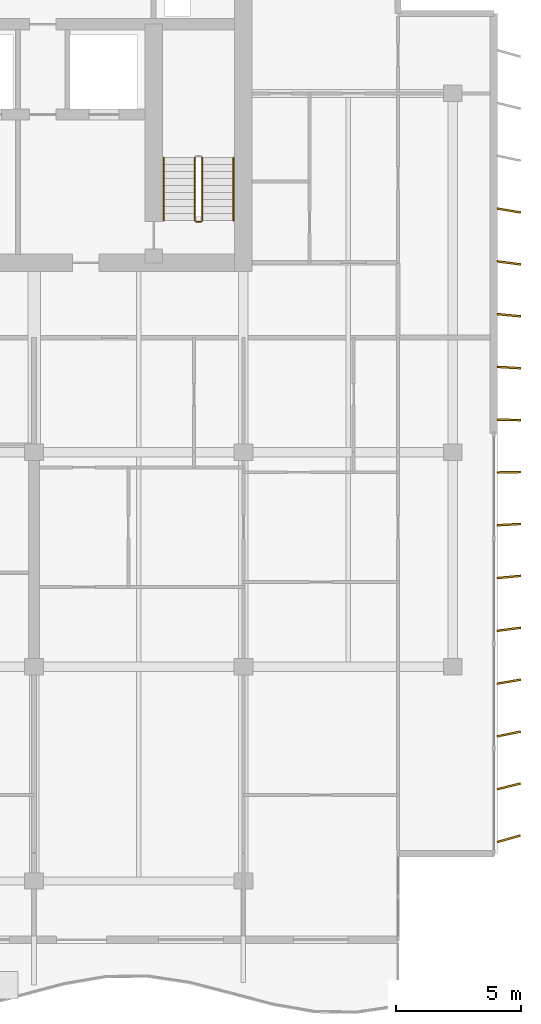
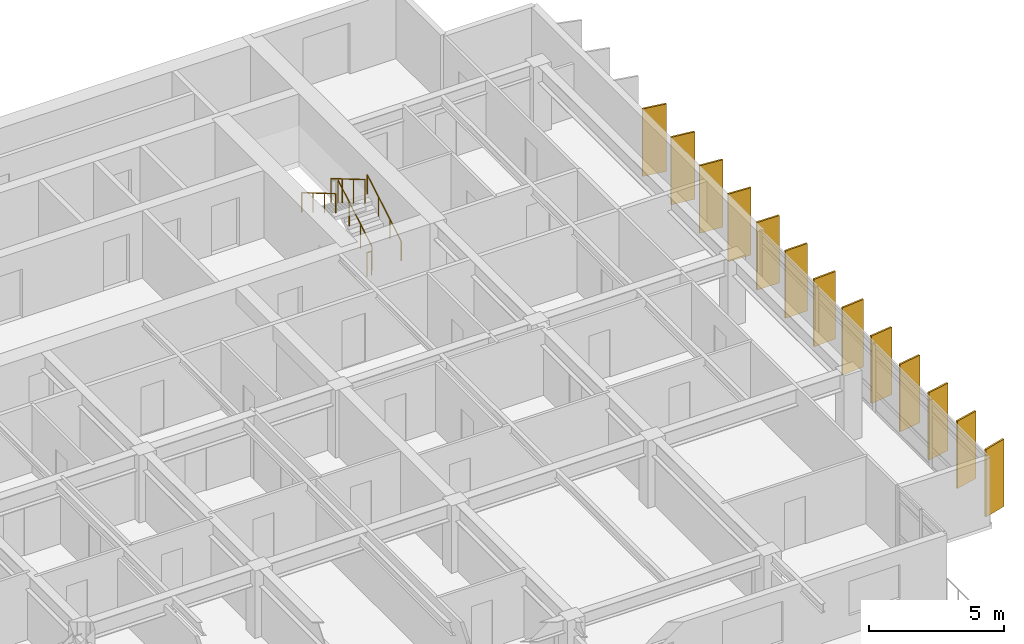
# One storey, part 14 of 16: 13 shading devices, 5 railings.
"""IFC4 building model written with IfcOpenShell, lengths in metres."""

import ifcopenshell
import ifcopenshell.guid

model = None  # the IFC model being written
_history = None  # IfcOwnerHistory: only IFC2X3 demands one
_inside = {}  # id of a spatial element -> (the spatial element, [elements in it])
_under = {}  # id of a project, library or spatial element -> (it, [spatial elements below it])
_declared = {}  # id of a project -> (the project, [libraries it declares])
_typed = {}  # id of a type object -> (the type object, [elements of that type])
_made_of = {}  # id of a material, layer set ... -> (it, [elements and type objects made of it])


def new_model(schema):
    """Start an empty IFC model of exactly this schema.

    Asked for "IFC4X3", IfcOpenShell would pick the latest addendum, in which some entities
    have other attributes; the version numbers below select the first issue.
    IFC2X3 requires an IfcOwnerHistory on every rooted entity: one is made here for all.
    """
    global model, _history
    if schema == "IFC4X3":
        model = ifcopenshell.file(schema_version=(4, 3, 0, 0))
    else:
        model = ifcopenshell.file(schema=schema)
    _inside.clear()
    _under.clear()
    _declared.clear()
    _typed.clear()
    _made_of.clear()
    _history = None
    if model.schema == "IFC2X3":
        org = make("IfcOrganization", Name="unknown")
        user = make(
            "IfcPersonAndOrganization",
            ThePerson=make("IfcPerson", FamilyName="unknown"),
            TheOrganization=org,
        )
        app = make(
            "IfcApplication",
            ApplicationDeveloper=org,
            Version="unknown",
            ApplicationFullName="unknown",
            ApplicationIdentifier="unknown",
        )
        _history = make(
            "IfcOwnerHistory",
            OwningUser=user,
            OwningApplication=app,
            ChangeAction="ADDED",
            CreationDate=0,
        )
    return model


def make(cls, **values):
    """One entity of the class cls with the attributes given. An attribute that is None is left unset."""
    return model.create_entity(
        cls, **{name: value for name, value in values.items() if value is not None}
    )


def rooted(cls, **values):
    """An entity with a GlobalId (a new one), such as an element, a storey or a relation."""
    return make(cls, GlobalId=ifcopenshell.guid.new(), OwnerHistory=_history, **values)


def si_unit(unit_type, name, prefix=None):
    """IfcSIUnit, for example si_unit("LENGTHUNIT", "METRE", prefix="MILLI")."""
    return make("IfcSIUnit", UnitType=unit_type, Prefix=prefix, Name=name)


def assignment(units):
    """IfcUnitAssignment: the units of a project."""
    return None if units is None else make("IfcUnitAssignment", Units=units)


def point(xyz):
    """IfcCartesianPoint."""
    return None if xyz is None else make("IfcCartesianPoint", Coordinates=xyz)


def direction(xyz):
    """IfcDirection."""
    return None if xyz is None else make("IfcDirection", DirectionRatios=xyz)


def frame(location, z_axis=None, x_axis=None):
    """IfcAxis2Placement3D, a coordinate frame: its origin and axes. An axis left out is left unset."""
    return make(
        "IfcAxis2Placement3D",
        Location=point(location),
        Axis=direction(z_axis),
        RefDirection=direction(x_axis),
    )


def frame_2d(location, x_axis=None):
    """IfcAxis2Placement2D, a coordinate frame in the plane: its origin and x axis."""
    return make(
        "IfcAxis2Placement2D", Location=point(location), RefDirection=direction(x_axis)
    )


def origin():
    """The frame at (0, 0, 0) with its axes left unset."""
    return frame((0.0, 0.0, 0.0))


def origin_2d():
    """The frame at (0, 0) in the plane with its x axis left unset."""
    return frame_2d((0.0, 0.0))


def place(relative_to, where):
    """IfcLocalPlacement: puts the frame where relative to a parent placement (None: the world)."""
    return make(
        "IfcLocalPlacement", PlacementRelTo=relative_to, RelativePlacement=where
    )


def context(
    kind, dimensions, precision=None, world=None, true_north=None, identifier=None
):
    """IfcGeometricRepresentationContext, for example the 3D "Model" context."""
    return make(
        "IfcGeometricRepresentationContext",
        ContextIdentifier=identifier,
        ContextType=kind,
        CoordinateSpaceDimension=dimensions,
        Precision=precision,
        WorldCoordinateSystem=world,
        TrueNorth=true_north,
    )


def subcontext(parent, identifier, kind, view, scale=None):
    """IfcGeometricRepresentationSubContext, for example "Body" below "Model"."""
    return make(
        "IfcGeometricRepresentationSubContext",
        ContextIdentifier=identifier,
        ContextType=kind,
        ParentContext=parent,
        TargetScale=scale,
        TargetView=view,
    )


def project(units=None, contexts=None):
    """IfcProject with its units and contexts."""
    return rooted(
        "IfcProject",
        Name="project",
        RepresentationContexts=contexts,
        UnitsInContext=assignment(units),
    )


def spatial(cls, under=None, at=None, **own):
    """A site, building, storey or space (cls), placed at a placement, below another one or the project."""
    s = rooted(cls, ObjectPlacement=at, **own)
    if under is not None:
        _under.setdefault(under.id(), (under, []))[1].append(s)
    return s


def profile(cls, at=None, kind="AREA", **sizes):
    """A parametric profile (cls). Its sizes go by their IFC names, for example OverallWidth=200.0."""
    return make(cls, ProfileType=kind, Position=at, **sizes)


def rectangle(**sizes):
    """IfcRectangleProfileDef."""
    return profile("IfcRectangleProfileDef", **sizes)


def circle(**sizes):
    """IfcCircleProfileDef."""
    return profile("IfcCircleProfileDef", **sizes)


def extrude(swept, where, along, depth):
    """IfcExtrudedAreaSolid: the profile swept, set in the frame where, extruded along a direction by depth."""
    return make(
        "IfcExtrudedAreaSolid",
        SweptArea=swept,
        Position=where,
        ExtrudedDirection=direction(along),
        Depth=depth,
    )


def shape(context_of_items, identifier, shape_type, items):
    """IfcShapeRepresentation: the items that make up one representation, for example the "Body"."""
    return make(
        "IfcShapeRepresentation",
        ContextOfItems=context_of_items,
        RepresentationIdentifier=identifier,
        RepresentationType=shape_type,
        Items=items,
    )


def material(Name=None, Category=None):
    """IfcMaterial."""
    return make("IfcMaterial", Name=Name, Category=Category)


def material_profile(
    of_material, cross_section, Name=None, Category=None, Priority=None
):
    """IfcMaterialProfile: a cross section and its material."""
    return make(
        "IfcMaterialProfile",
        Name=Name,
        Material=of_material,
        Profile=cross_section,
        Priority=Priority,
        Category=Category,
    )


def profile_set(profiles, Name=None, composite=None):
    """IfcMaterialProfileSet."""
    return make(
        "IfcMaterialProfileSet",
        Name=Name,
        MaterialProfiles=profiles,
        CompositeProfile=composite,
    )


def made_of(thing, what):
    """Note that an element or type object is made of a material, layer set ...; save() writes the relation."""
    if what is not None:
        _made_of.setdefault(what.id(), (what, []))[1].append(thing)
    return thing


def type_object(cls, material=None, **own):
    """A type object (cls), such as IfcWallType, which elements share."""
    return made_of(rooted(cls, **own), material)


def element(
    cls,
    number,
    at=None,
    inside=None,
    cuts=None,
    type_object=None,
    material=None,
    context=None,
    identifier="Body",
    shape_type=None,
    held_by="IfcProductDefinitionShape",
    body=None,
    shapes=None,
    **own,
):
    """One element of the class cls, such as IfcWall. Its Tag is "e" and its number.

    at: its placement. inside: the storey or other place that contains it. cuts: it is an
    opening in that element (IfcRelVoidsElement). A single representation is given by context,
    identifier, shape_type and body (its items); several are given by shapes. held_by: the class
    of the entity that holds the representations. save() writes the other relations.
    """
    e = rooted(cls, Tag="e%d" % number, ObjectPlacement=at, **own)
    if body is not None:
        shapes = [shape(context, identifier, shape_type, body)]
    if shapes is not None:
        e.Representation = make(held_by, Representations=shapes)
    if inside is not None:
        _inside.setdefault(inside.id(), (inside, []))[1].append(e)
    if cuts is not None:
        rooted(
            "IfcRelVoidsElement", RelatingBuildingElement=cuts, RelatedOpeningElement=e
        )
    if type_object is not None:
        _typed.setdefault(type_object.id(), (type_object, []))[1].append(e)
    return made_of(e, material)


def aggregate(whole, parts):
    """IfcRelAggregates: a whole, such as a stair, and the parts it consists of."""
    return rooted("IfcRelAggregates", RelatingObject=whole, RelatedObjects=parts)


def save(model, path):
    """Write the relations noted so far, then the file.

    IfcRelAggregates (storeys below a building ...), IfcRelContainedInSpatialStructure (elements
    in a storey), IfcRelDefinesByType, IfcRelAssociatesMaterial and IfcRelDeclares: one each for
    every whole, place, type object, material and project.
    """
    for whole, parts in _under.values():
        aggregate(whole, parts)
    for where, things in _inside.values():
        rooted(
            "IfcRelContainedInSpatialStructure",
            RelatedElements=things,
            RelatingStructure=where,
        )
    for kind, things in _typed.values():
        rooted("IfcRelDefinesByType", RelatedObjects=things, RelatingType=kind)
    for what, things in _made_of.values():
        rooted("IfcRelAssociatesMaterial", RelatedObjects=things, RelatingMaterial=what)
    for by, libraries in _declared.values():
        rooted("IfcRelDeclares", RelatingContext=by, RelatedDefinitions=libraries)
    model.write(path)


model = new_model("IFC4")

# Units and contexts
model_context = context("Model", 3, precision=1e-05, world=origin(), true_north=direction((0.0, 1.0)))
body_context = subcontext(model_context, "Body", "Model", "MODEL_VIEW")
ifc_project = project(units=[si_unit("LENGTHUNIT", "METRE"), si_unit("AREAUNIT", "SQUARE_METRE"), si_unit("VOLUMEUNIT", "CUBIC_METRE"), si_unit("PLANEANGLEUNIT", "RADIAN"), si_unit("MASSUNIT", "GRAM", prefix="KILO")], contexts=[model_context])

# Site, building, storey
site_placement = place(None, origin())
site = spatial("IfcSite", under=ifc_project, at=site_placement, CompositionType="ELEMENT")
building_placement = place(site_placement, origin())
building = spatial("IfcBuilding", under=site, at=building_placement, Name="Caelmar Bay Residences", CompositionType="ELEMENT")
storey_placement = place(building_placement, frame((0.0, 0.0, 239.699951171875)))
storey = spatial("IfcBuildingStorey", under=building, at=storey_placement, Name="L67", CompositionType="ELEMENT", Elevation=239.699951171875)

# Railings
ifc_material_1 = material(Name="Painted galvanized steel stair guard 1100 mm", Category="steel")
railing_type_1 = type_object("IfcRailingType", Name="RL-GRD-1100", PredefinedType="GUARDRAIL", material=ifc_material_1)
railing_1_placement = place(storey_placement, frame((57.85009765625, 38.699951171875, 0.1650390625)))
element("IfcRailing", 1, at=railing_1_placement, inside=storey, type_object=railing_type_1, Name="L67 ST2 stair guard 1", PredefinedType="GUARDRAIL", context=body_context, shape_type="SweptSolid", body=[
    extrude(circle(Radius=0.02392578125, at=origin_2d()), frame((0.0, 0.0, 1.076171875), z_axis=(0.0, 0.86152411907, 0.507716645641), x_axis=(-1.0, 0.0, 0.0)), (0.0, 0.0, 1.0), 2.925048828125),
    extrude(circle(Radius=0.02099609375, at=origin_2d()), origin(), (0.0, 0.0, 1.0), 1.052001953125),
    extrude(circle(Radius=0.02099609375, at=origin_2d()), frame((0.0, 0.840087890625, 0.4951171875)), (0.0, 0.0, 1.0), 1.052001953125),
    extrude(circle(Radius=0.02099609375, at=origin_2d()), frame((0.0, 1.679931640625, 0.989990234375)), (0.0, 0.0, 1.0), 1.052001953125),
    extrude(circle(Radius=0.02099609375, at=origin_2d()), frame((0.0, 2.52001953125, 1.485107421875)), (0.0, 0.0, 1.0), 1.052001953125),
])
railing_2_placement = place(storey_placement, frame((57.550048828125, 41.219970703125, 1.81494140625)))
element("IfcRailing", 2, at=railing_2_placement, inside=storey, type_object=railing_type_1, Name="L67 ST2 stair guard 3", PredefinedType="GUARDRAIL", context=body_context, shape_type="SweptSolid", body=[
    extrude(circle(Radius=0.02392578125, at=origin_2d()), frame((0.0, 0.0, 1.076171875), z_axis=(0.0, -0.86152411907, 0.507716645641), x_axis=(1.0, 0.0, 0.0)), (0.0, 0.0, 1.0), 2.925048828125),
    extrude(circle(Radius=0.02099609375, at=origin_2d()), origin(), (0.0, 0.0, 1.0), 1.052001953125),
    extrude(circle(Radius=0.02099609375, at=origin_2d()), frame((0.0, -0.840087890625, 0.4951171875)), (0.0, 0.0, 1.0), 1.052001953125),
    extrude(circle(Radius=0.02099609375, at=origin_2d()), frame((0.0, -1.679931640625, 0.989990234375)), (0.0, 0.0, 1.0), 1.052001953125),
    extrude(circle(Radius=0.02099609375, at=origin_2d()), frame((0.0, -2.52001953125, 1.485107421875)), (0.0, 0.0, 1.0), 1.052001953125),
])
railing_3_placement = place(storey_placement, frame((57.800048828125, 38.64990234375, 0.0)))
element("IfcRailing", 3, at=railing_3_placement, inside=storey, type_object=railing_type_1, Name="L67 ST2 stair guard 4", PredefinedType="GUARDRAIL", context=body_context, shape_type="SweptSolid", body=[
    extrude(circle(Radius=0.02392578125, at=origin_2d()), frame((0.0, 0.0, 1.076171875), z_axis=(-1.0, 0.0, 0.0), x_axis=(0.0, -1.0, 0.0)), (0.0, 0.0, 1.0), 0.199951171875),
    extrude(circle(Radius=0.02099609375, at=origin_2d()), origin(), (0.0, 0.0, 1.0), 1.052001953125),
    extrude(circle(Radius=0.02099609375, at=origin_2d()), frame((-0.199951171875, 0.0, 0.0)), (0.0, 0.0, 1.0), 1.052001953125),
])
ifc_material_2 = material(Name="Brushed bronze stainless-steel tubular handrail 900 mm", Category="steel")
railing_type_2 = type_object("IfcRailingType", Name="RL-HND-900", PredefinedType="HANDRAIL", material=ifc_material_2)
railing_4_placement = place(storey_placement, frame((59.10009765625, 38.699951171875, 0.1650390625)))
element("IfcRailing", 4, at=railing_4_placement, inside=storey, type_object=railing_type_2, Name="L67 ST2 stair handrail 1", PredefinedType="HANDRAIL", context=body_context, shape_type="SweptSolid", body=[
    extrude(circle(Radius=0.02392578125, at=origin_2d()), frame((0.0, 0.0, 0.8759765625), z_axis=(0.0, 0.86152411907, 0.507716645641), x_axis=(-1.0, 0.0, 0.0)), (0.0, 0.0, 1.0), 2.925048828125),
    extrude(circle(Radius=0.02099609375, at=origin_2d()), origin(), (0.0, 0.0, 1.0), 0.851806640625),
    extrude(circle(Radius=0.02099609375, at=origin_2d()), frame((0.0, 0.840087890625, 0.4951171875)), (0.0, 0.0, 1.0), 0.851806640625),
    extrude(circle(Radius=0.02099609375, at=origin_2d()), frame((0.0, 1.679931640625, 0.989990234375)), (0.0, 0.0, 1.0), 0.851806640625),
    extrude(circle(Radius=0.02099609375, at=origin_2d()), frame((0.0, 2.52001953125, 1.485107421875)), (0.0, 0.0, 1.0), 0.851806640625),
])
railing_5_placement = place(storey_placement, frame((56.300048828125, 41.219970703125, 1.81494140625)))
element("IfcRailing", 5, at=railing_5_placement, inside=storey, type_object=railing_type_2, Name="L67 ST2 stair handrail 2", PredefinedType="HANDRAIL", context=body_context, shape_type="SweptSolid", body=[
    extrude(circle(Radius=0.02392578125, at=origin_2d()), frame((0.0, 0.0, 0.8759765625), z_axis=(0.0, -0.86152411907, 0.507716645641), x_axis=(1.0, 0.0, 0.0)), (0.0, 0.0, 1.0), 2.925048828125),
    extrude(circle(Radius=0.02099609375, at=origin_2d()), origin(), (0.0, 0.0, 1.0), 0.851806640625),
    extrude(circle(Radius=0.02099609375, at=origin_2d()), frame((0.0, -0.840087890625, 0.4951171875)), (0.0, 0.0, 1.0), 0.851806640625),
    extrude(circle(Radius=0.02099609375, at=origin_2d()), frame((0.0, -1.679931640625, 0.989990234375)), (0.0, 0.0, 1.0), 0.851806640625),
    extrude(circle(Radius=0.02099609375, at=origin_2d()), frame((0.0, -2.52001953125, 1.485107421875)), (0.0, 0.0, 1.0), 0.851806640625),
])

# Shading devices
ifc_material_3 = material(Name="Anodised architectural bronze aluminium 6063-T6", Category="aluminium")
ifc_material_profile = material_profile(ifc_material_3, rectangle(XDim=0.074951171875, YDim=0.949951171875, at=origin_2d()), Name="BRONZE-FIN-75X950")
ifc_profile_set = profile_set([ifc_material_profile], Name="Anodised architectural bronze aluminium 6063-T6")
shading_device_type = type_object("IfcShadingDeviceType", Name="SHD-FIN-950", PredefinedType="USERDEFINED", material=ifc_profile_set)
for number, where, z_axis, x_axis, name in (
    (6, (70.14990234375, 13.89990234375, 0.0), (0.0, 0.0, 1.0), (-0.275637355817, 0.961261695938, 0.0), "L67 East Bronze Solar Fin 1"),
    (7, (70.14990234375, 16.0, 0.0), (0.0, 0.0, 1.0), (-0.239719743609, 0.970842131618, 0.0), "L67 East Bronze Solar Fin 2"),
    (8, (70.14990234375, 18.10009765625, 0.0), (0.0, 0.0, 1.0), (-0.2032999874, 0.979116497217, 0.0), "L67 East Bronze Solar Fin 3"),
    (9, (70.14990234375, 20.199951171875, 0.0), (0.0, 0.0, 1.0), (-0.166768746716, 0.985996037071, 0.0), "L67 East Bronze Solar Fin 4"),
    (10, (70.14990234375, 22.300048828125, 0.0), (0.0, 0.0, 1.0), (-0.130007055036, 0.99151306882, 0.0), "L67 East Bronze Solar Fin 5"),
    (11, (70.14990234375, 24.39990234375, 0.0), (0.0, 0.0, 1.0), (-0.092891934994, 0.995676196569, 0.0), "L67 East Bronze Solar Fin 6"),
    (12, (70.14990234375, 26.5, 0.0), (0.0, 0.0, 1.0), (-0.055821504993, 0.998440764182, 0.0), "L67 East Bronze Solar Fin 7"),
    (13, (70.14990234375, 28.60009765625, 0.0), (0.0, 0.0, 1.0), (-0.018673937509, 0.999825626826, 0.0), "L67 East Bronze Solar Fin 8"),
    (14, (70.14990234375, 30.699951171875, 0.0), (0.0, 0.0, 1.0), (0.018673937509, 0.999825626826, 0.0), "L67 East Bronze Solar Fin 9"),
    (15, (70.14990234375, 32.800048828125, 0.0), (0.0, 0.0, 1.0), (0.055821504993, 0.998440764182, 0.0), "L67 East Bronze Solar Fin 10"),
    (16, (70.14990234375, 34.89990234375, 0.0), (0.0, 0.0, 1.0), (0.092891934994, 0.995676196569, 0.0), "L67 East Bronze Solar Fin 11"),
    (17, (70.14990234375, 37.0, 0.0), (0.0, 0.0, 1.0), (0.130007055036, 0.99151306882, 0.0), "L67 East Bronze Solar Fin 12"),
    (18, (70.14990234375, 39.10009765625, 0.0), (0.0, 0.0, 1.0), (0.166768746716, 0.985996037071, 0.0), "L67 East Bronze Solar Fin 13"),
):
    element("IfcShadingDevice", number, at=place(storey_placement, frame(where, z_axis=z_axis, x_axis=x_axis)), inside=storey, type_object=shading_device_type, Name=name, ObjectType="FIN", PredefinedType="USERDEFINED", context=body_context, shape_type="SweptSolid", body=[
        extrude(rectangle(XDim=0.074951171875, YDim=0.949951171875, at=origin_2d()), origin(), (0.0, 0.0, 1.0), 3.050048828125),
    ])

save(model, "model.ifc")
